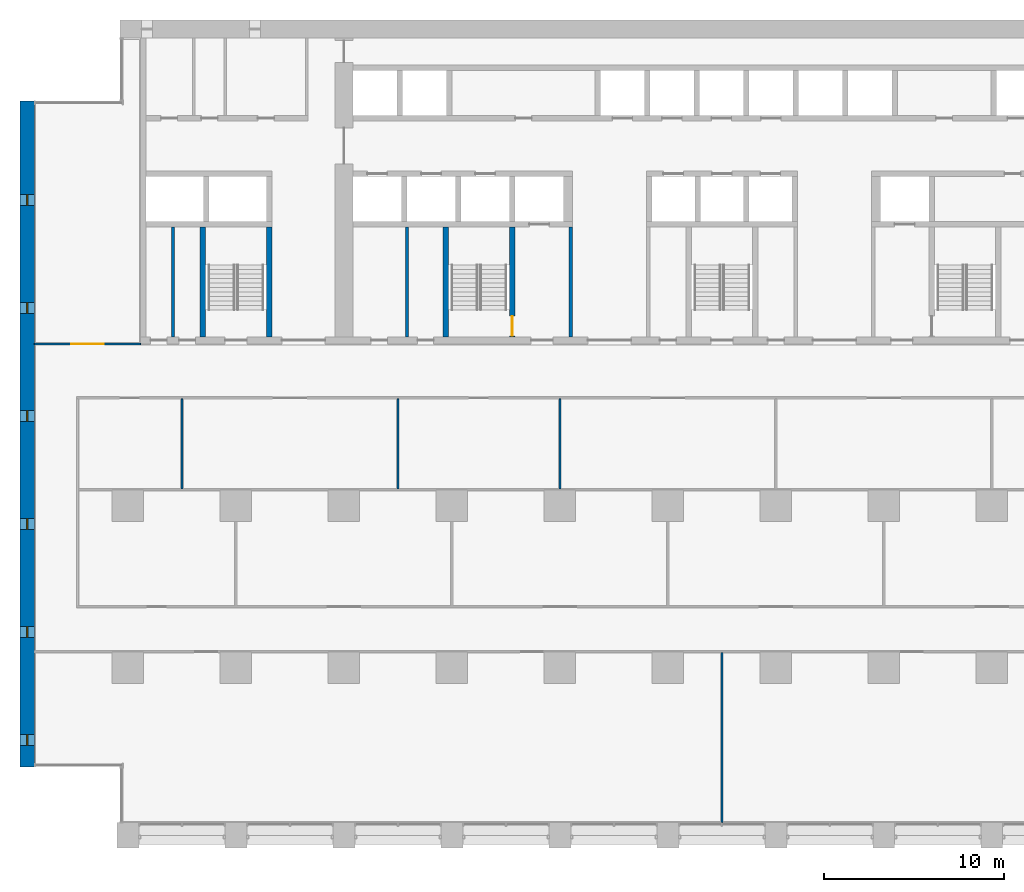
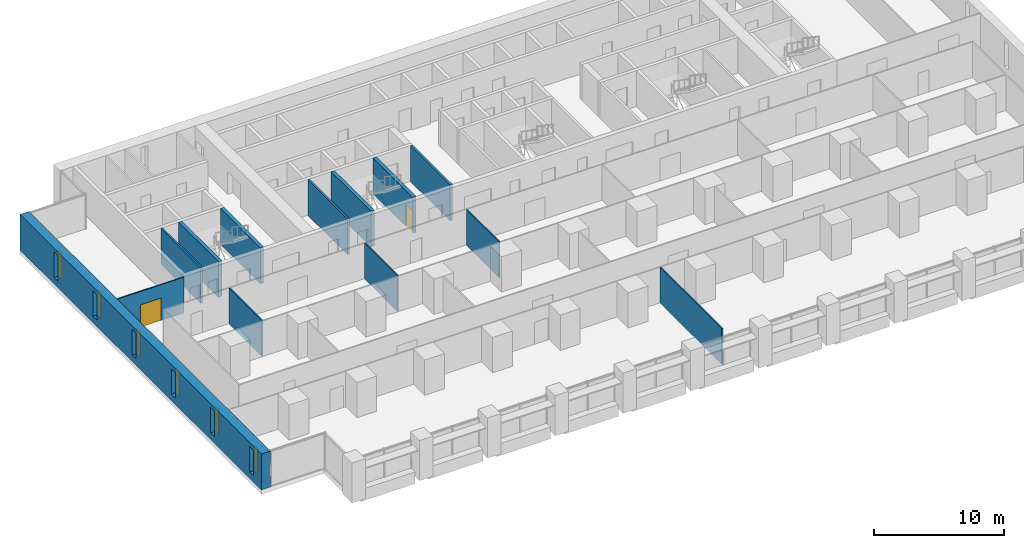
# One storey, part 8 of 18: 13 walls, 6 windows, 2 doors, 8 openings.
"""IFC4 building model written with IfcOpenShell, lengths in metres."""

from ifc_helpers import new_model, si_unit, direction, frame, frame_2d, origin, place, context, subcontext, project, spatial, rectangle, extrude, material, layer, layer_set, type_object, element, fill, save


model = new_model("IFC4")

# Units and contexts
model_context = context("Model", 3, precision=1e-05, world=origin(), true_north=direction((0.0, 1.0)))
body_context = subcontext(model_context, "Body", "Model", "MODEL_VIEW")
ifc_project = project(units=[si_unit("LENGTHUNIT", "METRE"), si_unit("AREAUNIT", "SQUARE_METRE"), si_unit("VOLUMEUNIT", "CUBIC_METRE"), si_unit("PLANEANGLEUNIT", "RADIAN"), si_unit("MASSUNIT", "GRAM", prefix="KILO")], contexts=[model_context])

# Site, building, storey
site_placement = place(None, origin())
site = spatial("IfcSite", under=ifc_project, at=site_placement, CompositionType="ELEMENT")
building_placement = place(site_placement, origin())
building = spatial("IfcBuilding", under=site, at=building_placement, Name="Calvaro Tower", CompositionType="ELEMENT")
storey_placement = place(building_placement, frame((0.0, 0.0, 41.25)))
storey = spatial("IfcBuildingStorey", under=building, at=storey_placement, Name="L09", CompositionType="ELEMENT", Elevation=41.25)

# Walls
ifc_material_1 = material(Name="Blockwork partition", Category="masonry")
ifc_layer_1 = layer(ifc_material_1, 0.14990234375)
ifc_layer_set_1 = layer_set([ifc_layer_1], Name="Blockwork partition")
wall_type_1 = type_object("IfcWallType", Name="Core partition 150 EI 60", PredefinedType="PARTITIONING", material=ifc_layer_set_1)
wall_1_placement = place(storey_placement, frame((8.5, 28.39990234375, 0.0), z_axis=(0.0, 0.0, 1.0), x_axis=(0.0, 1.0, 0.0)))
element("IfcWall", 1, at=wall_1_placement, inside=storey, type_object=wall_type_1, Name="Core partition", PredefinedType="PARTITIONING", context=body_context, shape_type="SweptSolid", body=[
    extrude(rectangle(XDim=6.10009765625, YDim=0.14990234375, at=frame_2d((3.050048828125, 0.0))), origin(), (0.0, 0.0, 1.0), 3.35009765625),
])
ifc_material_2 = material(Name="Blockwork partition", Category="masonry")
ifc_layer_2 = layer(ifc_material_2, 0.14990234375)
ifc_layer_set_2 = layer_set([ifc_layer_2], Name="Blockwork partition")
wall_type_2 = type_object("IfcWallType", Name="Core partition 150 REI 120", PredefinedType="PARTITIONING", material=ifc_layer_set_2)
wall_2_placement = place(storey_placement, frame((21.5, 28.39990234375, 0.0), z_axis=(0.0, 0.0, 1.0), x_axis=(0.0, 1.0, 0.0)))
element("IfcWall", 2, at=wall_2_placement, inside=storey, type_object=wall_type_2, Name="Core partition", PredefinedType="PARTITIONING", context=body_context, shape_type="SweptSolid", body=[
    extrude(rectangle(XDim=6.10009765625, YDim=0.14990234375, at=frame_2d((3.050048828125, 0.0))), origin(), (0.0, 0.0, 1.0), 3.35009765625),
])
ifc_material_3 = material(Name="Blockwork partition", Category="masonry")
ifc_layer_3 = layer(ifc_material_3, 0.199951171875)
ifc_layer_set_3 = layer_set([ifc_layer_3], Name="Blockwork partition")
wall_type_3 = type_object("IfcWallType", Name="Core partition 200 REI 120", PredefinedType="PARTITIONING", material=ifc_layer_set_3)
wall_3_placement = place(storey_placement, frame((30.60009765625, 28.39990234375, 0.0), z_axis=(0.0, 0.0, 1.0), x_axis=(0.0, 1.0, 0.0)))
element("IfcWall", 3, at=wall_3_placement, inside=storey, type_object=wall_type_3, Name="Core partition", PredefinedType="PARTITIONING", context=body_context, shape_type="SweptSolid", body=[
    extrude(rectangle(XDim=6.10009765625, YDim=0.199951171875, at=frame_2d((3.050048828125, 0.0))), origin(), (0.0, 0.0, 1.0), 3.35009765625),
])
ifc_material_4 = material(Name="Concrete C80/95", Category="concrete")
ifc_layer_4 = layer(ifc_material_4, 0.300048828125)
ifc_layer_set_4 = layer_set([ifc_layer_4], Name="Concrete C80/95")
wall_type_4 = type_object("IfcWallType", Name="Core wall C80/95 300", PredefinedType="SHEAR", material=ifc_layer_set_4)
for number, where, z_axis, x_axis, name in (
    (4, (10.14990234375, 28.39990234375, 0.0), (0.0, 0.0, 1.0), (0.0, 1.0, 0.0), "Core wall, stair enclosure"),
    (5, (13.85009765625, 28.39990234375, 0.0), (0.0, 0.0, 1.0), (0.0, 1.0, 0.0), "Core wall, stair enclosure"),
    (6, (23.64990234375, 28.39990234375, 0.0), (0.0, 0.0, 1.0), (0.0, 1.0, 0.0), "Core wall, stair enclosure"),
):
    element("IfcWall", number, at=place(storey_placement, frame(where, z_axis=z_axis, x_axis=x_axis)), inside=storey, type_object=wall_type_4, Name=name, PredefinedType="SHEAR", context=body_context, shape_type="SweptSolid", body=[
        extrude(rectangle(XDim=6.10009765625, YDim=0.300048828125, at=frame_2d((3.050048828125, 0.0))), origin(), (0.0, 0.0, 1.0), 3.35009765625),
    ])

# Wall, opening, door
wall_4_placement = place(storey_placement, frame((27.35009765625, 28.39990234375, 0.0), z_axis=(0.0, 0.0, 1.0), x_axis=(0.0, 1.0, 0.0)))
wall_4 = element("IfcWall", 7, at=wall_4_placement, inside=storey, type_object=wall_type_4, Name="Core wall, stair enclosure", PredefinedType="SHEAR", context=body_context, shape_type="SweptSolid", body=[
    extrude(rectangle(XDim=6.10009765625, YDim=0.300048828125, at=frame_2d((3.050048828125, 0.0))), origin(), (0.0, 0.0, 1.0), 3.35009765625),
])
opening_1_placement = place(wall_4_placement, frame((0.050048828125, 0.0, 0.0)))
opening_1 = element("IfcOpeningElement", 8, at=opening_1_placement, cuts=wall_4, Name="Opening FD11D", PredefinedType="OPENING", context=body_context, shape_type="SweptSolid", body=[
    extrude(rectangle(XDim=1.10009765625, YDim=2.10009765625, at=frame_2d((0.550048828125, 1.050048828125))), frame((0.0, 0.159912109375, 0.0), z_axis=(0.0, -1.0, 0.0), x_axis=(1.0, 0.0, 0.0)), (0.0, 0.0, 1.0), 0.320068359375),
])
ifc_material_5 = material(Name="Steel door set", Category="steel")
door_type_1 = type_object("IfcDoorType", Name="Fire door 1100 FD30S", OperationType="SINGLE_SWING_LEFT", PredefinedType="DOOR", material=ifc_material_5)
door_1_placement = place(opening_1_placement, origin())
door_1 = element("IfcDoor", 9, at=door_1_placement, inside=storey, type_object=door_type_1, Name="Fire door", OperationType="SINGLE_SWING_LEFT", OverallHeight=2.10009765625, OverallWidth=1.10009765625, PredefinedType="DOOR", context=body_context, shape_type="SweptSolid", body=[
    extrude(rectangle(XDim=1.10009765625, YDim=2.10009765625, at=frame_2d((0.550048828125, 1.050048828125))), frame((0.0, 0.02490234375, 0.0), z_axis=(0.0, -1.0, 0.0), x_axis=(1.0, 0.0, 0.0)), (0.0, 0.0, 1.0), 0.050048828125),
])
fill(opening_1, door_1)

# Wall, openings, windows
ifc_material_6 = material(Name="Concrete C80/95", Category="concrete")
ifc_layer_5 = layer(ifc_material_6, 0.800048828125)
ifc_layer_set_5 = layer_set([ifc_layer_5], Name="Concrete C80/95")
wall_type_5 = type_object("IfcWallType", Name="End wall 800 C80/95", PredefinedType="SHEAR", material=ifc_layer_set_5)
wall_5_placement = place(storey_placement, frame((0.39990234375, 4.5, 0.0), z_axis=(0.0, 0.0, 1.0), x_axis=(0.0, 1.0, 0.0)))
wall_5 = element("IfcWall", 10, at=wall_5_placement, inside=storey, type_object=wall_type_5, Name="End shear wall", PredefinedType="SHEAR", context=body_context, shape_type="SweptSolid", body=[
    extrude(rectangle(XDim=37.0, YDim=0.800048828125, at=frame_2d((18.5, 0.0))), origin(), (0.0, 0.0, 1.0), 3.35009765625),
])
opening_2_placement = place(wall_5_placement, frame((1.199951171875, 0.0, 0.60009765625)))
opening_2 = element("IfcOpeningElement", 11, at=opening_2_placement, cuts=wall_5, Name="Opening WW01", PredefinedType="OPENING", context=body_context, shape_type="SweptSolid", body=[
    extrude(rectangle(XDim=0.60009765625, YDim=2.39990234375, at=frame_2d((0.300048828125, 1.199951171875))), frame((0.0, 0.409912109375, 0.0), z_axis=(0.0, -1.0, 0.0), x_axis=(1.0, 0.0, 0.0)), (0.0, 0.0, 1.0), 0.820068359375),
])
opening_3_placement = place(wall_5_placement, frame((7.199951171875, 0.0, 0.60009765625)))
opening_3 = element("IfcOpeningElement", 12, at=opening_3_placement, cuts=wall_5, Name="Opening WW02", PredefinedType="OPENING", context=body_context, shape_type="SweptSolid", body=[
    extrude(rectangle(XDim=0.60009765625, YDim=2.39990234375, at=frame_2d((0.300048828125, 1.199951171875))), frame((0.0, 0.409912109375, 0.0), z_axis=(0.0, -1.0, 0.0), x_axis=(1.0, 0.0, 0.0)), (0.0, 0.0, 1.0), 0.820068359375),
])
opening_4_placement = place(wall_5_placement, frame((13.199951171875, 0.0, 0.60009765625)))
opening_4 = element("IfcOpeningElement", 13, at=opening_4_placement, cuts=wall_5, Name="Opening WW03", PredefinedType="OPENING", context=body_context, shape_type="SweptSolid", body=[
    extrude(rectangle(XDim=0.60009765625, YDim=2.39990234375, at=frame_2d((0.300048828125, 1.199951171875))), frame((0.0, 0.409912109375, 0.0), z_axis=(0.0, -1.0, 0.0), x_axis=(1.0, 0.0, 0.0)), (0.0, 0.0, 1.0), 0.820068359375),
])
opening_5_placement = place(wall_5_placement, frame((19.199951171875, 0.0, 0.60009765625)))
opening_5 = element("IfcOpeningElement", 14, at=opening_5_placement, cuts=wall_5, Name="Opening WW04", PredefinedType="OPENING", context=body_context, shape_type="SweptSolid", body=[
    extrude(rectangle(XDim=0.60009765625, YDim=2.39990234375, at=frame_2d((0.300048828125, 1.199951171875))), frame((0.0, 0.409912109375, 0.0), z_axis=(0.0, -1.0, 0.0), x_axis=(1.0, 0.0, 0.0)), (0.0, 0.0, 1.0), 0.820068359375),
])
opening_6_placement = place(wall_5_placement, frame((25.199951171875, 0.0, 0.60009765625)))
opening_6 = element("IfcOpeningElement", 15, at=opening_6_placement, cuts=wall_5, Name="Opening WW05", PredefinedType="OPENING", context=body_context, shape_type="SweptSolid", body=[
    extrude(rectangle(XDim=0.60009765625, YDim=2.39990234375, at=frame_2d((0.300048828125, 1.199951171875))), frame((0.0, 0.409912109375, 0.0), z_axis=(0.0, -1.0, 0.0), x_axis=(1.0, 0.0, 0.0)), (0.0, 0.0, 1.0), 0.820068359375),
])
opening_7_placement = place(wall_5_placement, frame((31.199951171875, 0.0, 0.60009765625)))
opening_7 = element("IfcOpeningElement", 16, at=opening_7_placement, cuts=wall_5, Name="Opening WW06", PredefinedType="OPENING", context=body_context, shape_type="SweptSolid", body=[
    extrude(rectangle(XDim=0.60009765625, YDim=2.39990234375, at=frame_2d((0.300048828125, 1.199951171875))), frame((0.0, 0.409912109375, 0.0), z_axis=(0.0, -1.0, 0.0), x_axis=(1.0, 0.0, 0.0)), (0.0, 0.0, 1.0), 0.820068359375),
])
ifc_material_7 = material(Name="Glass", Category="glass")
window_type = type_object("IfcWindowType", Name="Slit window 600 x 2400", PartitioningType="SINGLE_PANEL", PredefinedType="WINDOW", material=ifc_material_7)
window_1_placement = place(opening_2_placement, origin())
window_1 = element("IfcWindow", 17, at=window_1_placement, inside=storey, type_object=window_type, Name="Window WW01", OverallHeight=2.39990234375, OverallWidth=0.60009765625, PartitioningType="SINGLE_PANEL", PredefinedType="WINDOW", context=body_context, shape_type="SweptSolid", body=[
    extrude(rectangle(XDim=0.60009765625, YDim=2.39990234375, at=frame_2d((0.300048828125, 1.199951171875))), frame((0.0, 0.030029296875, 0.0), z_axis=(0.0, -1.0, 0.0), x_axis=(1.0, 0.0, 0.0)), (0.0, 0.0, 1.0), 0.06005859375),
])
fill(opening_2, window_1)
window_2_placement = place(opening_3_placement, origin())
window_2 = element("IfcWindow", 18, at=window_2_placement, inside=storey, type_object=window_type, Name="Window WW02", OverallHeight=2.39990234375, OverallWidth=0.60009765625, PartitioningType="SINGLE_PANEL", PredefinedType="WINDOW", context=body_context, shape_type="SweptSolid", body=[
    extrude(rectangle(XDim=0.60009765625, YDim=2.39990234375, at=frame_2d((0.300048828125, 1.199951171875))), frame((0.0, 0.030029296875, 0.0), z_axis=(0.0, -1.0, 0.0), x_axis=(1.0, 0.0, 0.0)), (0.0, 0.0, 1.0), 0.06005859375),
])
fill(opening_3, window_2)
window_3_placement = place(opening_4_placement, origin())
window_3 = element("IfcWindow", 19, at=window_3_placement, inside=storey, type_object=window_type, Name="Window WW03", OverallHeight=2.39990234375, OverallWidth=0.60009765625, PartitioningType="SINGLE_PANEL", PredefinedType="WINDOW", context=body_context, shape_type="SweptSolid", body=[
    extrude(rectangle(XDim=0.60009765625, YDim=2.39990234375, at=frame_2d((0.300048828125, 1.199951171875))), frame((0.0, 0.030029296875, 0.0), z_axis=(0.0, -1.0, 0.0), x_axis=(1.0, 0.0, 0.0)), (0.0, 0.0, 1.0), 0.06005859375),
])
fill(opening_4, window_3)
window_4_placement = place(opening_5_placement, origin())
window_4 = element("IfcWindow", 20, at=window_4_placement, inside=storey, type_object=window_type, Name="Window WW04", OverallHeight=2.39990234375, OverallWidth=0.60009765625, PartitioningType="SINGLE_PANEL", PredefinedType="WINDOW", context=body_context, shape_type="SweptSolid", body=[
    extrude(rectangle(XDim=0.60009765625, YDim=2.39990234375, at=frame_2d((0.300048828125, 1.199951171875))), frame((0.0, 0.030029296875, 0.0), z_axis=(0.0, -1.0, 0.0), x_axis=(1.0, 0.0, 0.0)), (0.0, 0.0, 1.0), 0.06005859375),
])
fill(opening_5, window_4)
window_5_placement = place(opening_6_placement, origin())
window_5 = element("IfcWindow", 21, at=window_5_placement, inside=storey, type_object=window_type, Name="Window WW05", OverallHeight=2.39990234375, OverallWidth=0.60009765625, PartitioningType="SINGLE_PANEL", PredefinedType="WINDOW", context=body_context, shape_type="SweptSolid", body=[
    extrude(rectangle(XDim=0.60009765625, YDim=2.39990234375, at=frame_2d((0.300048828125, 1.199951171875))), frame((0.0, 0.030029296875, 0.0), z_axis=(0.0, -1.0, 0.0), x_axis=(1.0, 0.0, 0.0)), (0.0, 0.0, 1.0), 0.06005859375),
])
fill(opening_6, window_5)
window_6_placement = place(opening_7_placement, origin())
window_6 = element("IfcWindow", 22, at=window_6_placement, inside=storey, type_object=window_type, Name="Window WW06", OverallHeight=2.39990234375, OverallWidth=0.60009765625, PartitioningType="SINGLE_PANEL", PredefinedType="WINDOW", context=body_context, shape_type="SweptSolid", body=[
    extrude(rectangle(XDim=0.60009765625, YDim=2.39990234375, at=frame_2d((0.300048828125, 1.199951171875))), frame((0.0, 0.030029296875, 0.0), z_axis=(0.0, -1.0, 0.0), x_axis=(1.0, 0.0, 0.0)), (0.0, 0.0, 1.0), 0.06005859375),
])
fill(opening_7, window_6)

# Wall, opening, door
ifc_material_8 = material(Name="Plasterboard on steel studs", Category="steel")
ifc_layer_6 = layer(ifc_material_8, 0.10009765625)
ifc_layer_set_6 = layer_set([ifc_layer_6], Name="Plasterboard on steel studs")
wall_type_6 = type_object("IfcWallType", Name="Partition 100", PredefinedType="PARTITIONING", material=ifc_layer_set_6)
wall_6_placement = place(storey_placement, frame((0.800048828125, 28.0, 0.0), z_axis=(0.0, 0.0, 1.0), x_axis=(1.0, 0.0, 0.0)))
wall_6 = element("IfcWall", 23, at=wall_6_placement, inside=storey, type_object=wall_type_6, Name="Partition T09.W005", PredefinedType="PARTITIONING", context=body_context, shape_type="SweptSolid", body=[
    extrude(rectangle(XDim=5.89990234375, YDim=0.10009765625, at=frame_2d((2.949951171875, 0.0))), origin(), (0.0, 0.0, 1.0), 3.35009765625),
])
opening_8_placement = place(wall_6_placement, frame((2.050048828125, 0.0, 0.0)))
opening_8 = element("IfcOpeningElement", 24, at=opening_8_placement, cuts=wall_6, Name="Opening T09.019", PredefinedType="OPENING", context=body_context, shape_type="SweptSolid", body=[
    extrude(rectangle(XDim=1.800048828125, YDim=2.10009765625, at=frame_2d((0.89990234375, 1.050048828125))), frame((0.0, 0.06005859375, 0.0), z_axis=(0.0, -1.0, 0.0), x_axis=(1.0, 0.0, 0.0)), (0.0, 0.0, 1.0), 0.1201171875),
])
ifc_material_9 = material(Name="Timber", Category="wood")
door_type_2 = type_object("IfcDoorType", Name="Internal double door 1800 x 2100", OperationType="DOUBLE_DOOR_SINGLE_SWING", PredefinedType="DOOR", material=ifc_material_9)
door_2_placement = place(opening_8_placement, origin())
door_2 = element("IfcDoor", 25, at=door_2_placement, inside=storey, type_object=door_type_2, Name="Door T09.019", OperationType="DOUBLE_DOOR_SINGLE_SWING", OverallHeight=2.10009765625, OverallWidth=1.800048828125, PredefinedType="DOOR", context=body_context, shape_type="SweptSolid", body=[
    extrude(rectangle(XDim=1.800048828125, YDim=2.10009765625, at=frame_2d((0.89990234375, 1.050048828125))), frame((0.0, 0.02490234375, 0.0), z_axis=(0.0, -1.0, 0.0), x_axis=(1.0, 0.0, 0.0)), (0.0, 0.0, 1.0), 0.050048828125),
])
fill(opening_8, door_2)

# Walls
for number, where, z_axis, x_axis, name in (
    (26, (9.0, 19.949951171875, 0.0), (0.0, 0.0, 1.0), (0.0, 1.0, 0.0), "Partition T09.W008"),
    (27, (21.0, 19.949951171875, 0.0), (0.0, 0.0, 1.0), (0.0, 1.0, 0.0), "Partition T09.W010"),
    (28, (30.0, 19.949951171875, 0.0), (0.0, 0.0, 1.0), (0.0, 1.0, 0.0), "Partition T09.W012"),
):
    element("IfcWall", number, at=place(storey_placement, frame(where, z_axis=z_axis, x_axis=x_axis)), inside=storey, type_object=wall_type_6, Name=name, PredefinedType="PARTITIONING", context=body_context, shape_type="SweptSolid", body=[
        extrude(rectangle(XDim=5.0, YDim=0.10009765625, at=frame_2d((2.5, 0.0))), origin(), (0.0, 0.0, 1.0), 3.35009765625),
    ])
wall_7_placement = place(storey_placement, frame((39.0, 1.39990234375, 0.0), z_axis=(0.0, 0.0, 1.0), x_axis=(0.0, 1.0, 0.0)))
element("IfcWall", 29, at=wall_7_placement, inside=storey, type_object=wall_type_6, Name="Partition T09.W014", PredefinedType="PARTITIONING", context=body_context, shape_type="SweptSolid", body=[
    extrude(rectangle(XDim=9.4501953125, YDim=0.10009765625, at=frame_2d((4.72509765625, 0.0))), origin(), (0.0, 0.0, 1.0), 3.35009765625),
])

save(model, "model.ifc")
